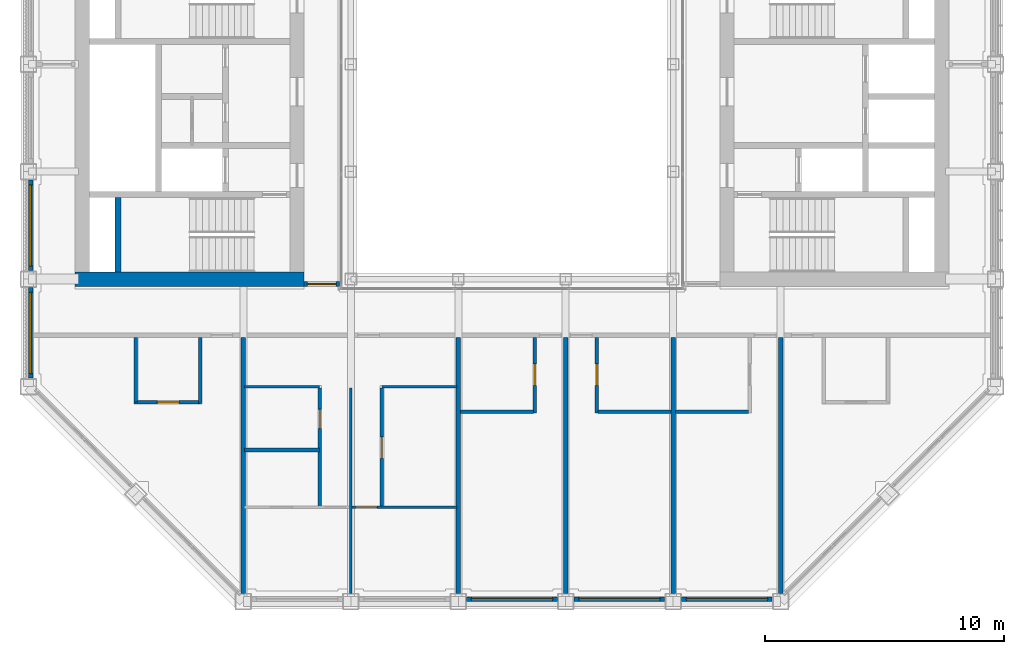
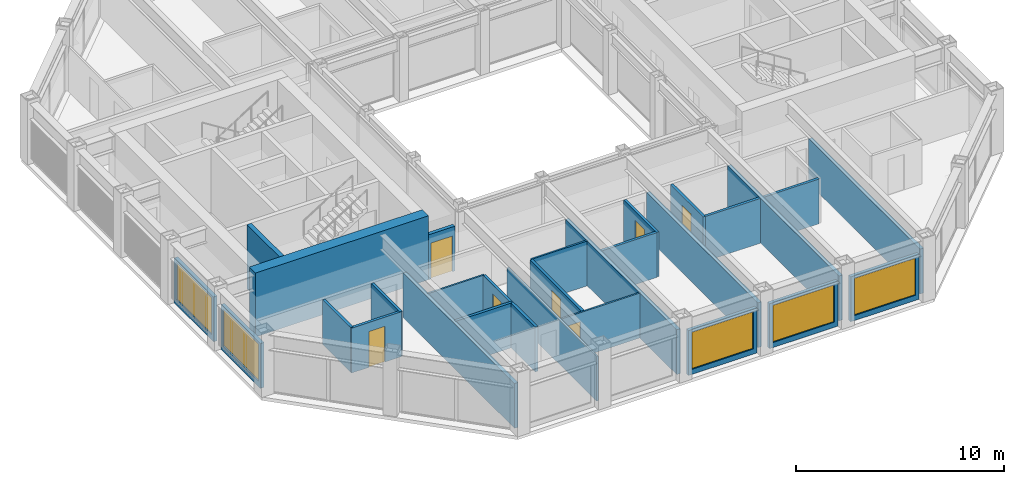
# One storey, part 9 of 18: 28 walls, 7 doors, 5 windows, 12 openings.
"""IFC4 building model written with IfcOpenShell, lengths in metres."""

import ifcopenshell
import ifcopenshell.guid

model = None  # the IFC model being written
_history = None  # IfcOwnerHistory: only IFC2X3 demands one
_inside = {}  # id of a spatial element -> (the spatial element, [elements in it])
_under = {}  # id of a project, library or spatial element -> (it, [spatial elements below it])
_declared = {}  # id of a project -> (the project, [libraries it declares])
_typed = {}  # id of a type object -> (the type object, [elements of that type])
_made_of = {}  # id of a material, layer set ... -> (it, [elements and type objects made of it])


def new_model(schema):
    """Start an empty IFC model of exactly this schema.

    Asked for "IFC4X3", IfcOpenShell would pick the latest addendum, in which some entities
    have other attributes; the version numbers below select the first issue.
    IFC2X3 requires an IfcOwnerHistory on every rooted entity: one is made here for all.
    """
    global model, _history
    if schema == "IFC4X3":
        model = ifcopenshell.file(schema_version=(4, 3, 0, 0))
    else:
        model = ifcopenshell.file(schema=schema)
    _inside.clear()
    _under.clear()
    _declared.clear()
    _typed.clear()
    _made_of.clear()
    _history = None
    if model.schema == "IFC2X3":
        org = make("IfcOrganization", Name="unknown")
        user = make(
            "IfcPersonAndOrganization",
            ThePerson=make("IfcPerson", FamilyName="unknown"),
            TheOrganization=org,
        )
        app = make(
            "IfcApplication",
            ApplicationDeveloper=org,
            Version="unknown",
            ApplicationFullName="unknown",
            ApplicationIdentifier="unknown",
        )
        _history = make(
            "IfcOwnerHistory",
            OwningUser=user,
            OwningApplication=app,
            ChangeAction="ADDED",
            CreationDate=0,
        )
    return model


def make(cls, **values):
    """One entity of the class cls with the attributes given. An attribute that is None is left unset."""
    return model.create_entity(
        cls, **{name: value for name, value in values.items() if value is not None}
    )


def rooted(cls, **values):
    """An entity with a GlobalId (a new one), such as an element, a storey or a relation."""
    return make(cls, GlobalId=ifcopenshell.guid.new(), OwnerHistory=_history, **values)


def si_unit(unit_type, name, prefix=None):
    """IfcSIUnit, for example si_unit("LENGTHUNIT", "METRE", prefix="MILLI")."""
    return make("IfcSIUnit", UnitType=unit_type, Prefix=prefix, Name=name)


def assignment(units):
    """IfcUnitAssignment: the units of a project."""
    return None if units is None else make("IfcUnitAssignment", Units=units)


def point(xyz):
    """IfcCartesianPoint."""
    return None if xyz is None else make("IfcCartesianPoint", Coordinates=xyz)


def direction(xyz):
    """IfcDirection."""
    return None if xyz is None else make("IfcDirection", DirectionRatios=xyz)


def frame(location, z_axis=None, x_axis=None):
    """IfcAxis2Placement3D, a coordinate frame: its origin and axes. An axis left out is left unset."""
    return make(
        "IfcAxis2Placement3D",
        Location=point(location),
        Axis=direction(z_axis),
        RefDirection=direction(x_axis),
    )


def frame_2d(location, x_axis=None):
    """IfcAxis2Placement2D, a coordinate frame in the plane: its origin and x axis."""
    return make(
        "IfcAxis2Placement2D", Location=point(location), RefDirection=direction(x_axis)
    )


def origin():
    """The frame at (0, 0, 0) with its axes left unset."""
    return frame((0.0, 0.0, 0.0))


def place(relative_to, where):
    """IfcLocalPlacement: puts the frame where relative to a parent placement (None: the world)."""
    return make(
        "IfcLocalPlacement", PlacementRelTo=relative_to, RelativePlacement=where
    )


def context(
    kind, dimensions, precision=None, world=None, true_north=None, identifier=None
):
    """IfcGeometricRepresentationContext, for example the 3D "Model" context."""
    return make(
        "IfcGeometricRepresentationContext",
        ContextIdentifier=identifier,
        ContextType=kind,
        CoordinateSpaceDimension=dimensions,
        Precision=precision,
        WorldCoordinateSystem=world,
        TrueNorth=true_north,
    )


def subcontext(parent, identifier, kind, view, scale=None):
    """IfcGeometricRepresentationSubContext, for example "Body" below "Model"."""
    return make(
        "IfcGeometricRepresentationSubContext",
        ContextIdentifier=identifier,
        ContextType=kind,
        ParentContext=parent,
        TargetScale=scale,
        TargetView=view,
    )


def project(units=None, contexts=None):
    """IfcProject with its units and contexts."""
    return rooted(
        "IfcProject",
        Name="project",
        RepresentationContexts=contexts,
        UnitsInContext=assignment(units),
    )


def spatial(cls, under=None, at=None, **own):
    """A site, building, storey or space (cls), placed at a placement, below another one or the project."""
    s = rooted(cls, ObjectPlacement=at, **own)
    if under is not None:
        _under.setdefault(under.id(), (under, []))[1].append(s)
    return s


def profile(cls, at=None, kind="AREA", **sizes):
    """A parametric profile (cls). Its sizes go by their IFC names, for example OverallWidth=200.0."""
    return make(cls, ProfileType=kind, Position=at, **sizes)


def rectangle(**sizes):
    """IfcRectangleProfileDef."""
    return profile("IfcRectangleProfileDef", **sizes)


def extrude(swept, where, along, depth):
    """IfcExtrudedAreaSolid: the profile swept, set in the frame where, extruded along a direction by depth."""
    return make(
        "IfcExtrudedAreaSolid",
        SweptArea=swept,
        Position=where,
        ExtrudedDirection=direction(along),
        Depth=depth,
    )


def shape(context_of_items, identifier, shape_type, items):
    """IfcShapeRepresentation: the items that make up one representation, for example the "Body"."""
    return make(
        "IfcShapeRepresentation",
        ContextOfItems=context_of_items,
        RepresentationIdentifier=identifier,
        RepresentationType=shape_type,
        Items=items,
    )


def material(Name=None, Category=None):
    """IfcMaterial."""
    return make("IfcMaterial", Name=Name, Category=Category)


def layer(
    of_material, thickness, ventilated=None, Name=None, Category=None, Priority=None
):
    """IfcMaterialLayer: one layer of a wall or slab, of a material (None: an air gap)."""
    return make(
        "IfcMaterialLayer",
        Material=of_material,
        LayerThickness=thickness,
        IsVentilated=ventilated,
        Name=Name,
        Category=Category,
        Priority=Priority,
    )


def layer_set(layers, Name=None):
    """IfcMaterialLayerSet."""
    return make("IfcMaterialLayerSet", MaterialLayers=layers, LayerSetName=Name)


def made_of(thing, what):
    """Note that an element or type object is made of a material, layer set ...; save() writes the relation."""
    if what is not None:
        _made_of.setdefault(what.id(), (what, []))[1].append(thing)
    return thing


def type_object(cls, material=None, **own):
    """A type object (cls), such as IfcWallType, which elements share."""
    return made_of(rooted(cls, **own), material)


def element(
    cls,
    number,
    at=None,
    inside=None,
    cuts=None,
    type_object=None,
    material=None,
    context=None,
    identifier="Body",
    shape_type=None,
    held_by="IfcProductDefinitionShape",
    body=None,
    shapes=None,
    **own,
):
    """One element of the class cls, such as IfcWall. Its Tag is "e" and its number.

    at: its placement. inside: the storey or other place that contains it. cuts: it is an
    opening in that element (IfcRelVoidsElement). A single representation is given by context,
    identifier, shape_type and body (its items); several are given by shapes. held_by: the class
    of the entity that holds the representations. save() writes the other relations.
    """
    e = rooted(cls, Tag="e%d" % number, ObjectPlacement=at, **own)
    if body is not None:
        shapes = [shape(context, identifier, shape_type, body)]
    if shapes is not None:
        e.Representation = make(held_by, Representations=shapes)
    if inside is not None:
        _inside.setdefault(inside.id(), (inside, []))[1].append(e)
    if cuts is not None:
        rooted(
            "IfcRelVoidsElement", RelatingBuildingElement=cuts, RelatedOpeningElement=e
        )
    if type_object is not None:
        _typed.setdefault(type_object.id(), (type_object, []))[1].append(e)
    return made_of(e, material)


def fill(opening, filler):
    """IfcRelFillsElement: the door or window that sits in an opening."""
    return rooted(
        "IfcRelFillsElement",
        RelatingOpeningElement=opening,
        RelatedBuildingElement=filler,
    )


def aggregate(whole, parts):
    """IfcRelAggregates: a whole, such as a stair, and the parts it consists of."""
    return rooted("IfcRelAggregates", RelatingObject=whole, RelatedObjects=parts)


def save(model, path):
    """Write the relations noted so far, then the file.

    IfcRelAggregates (storeys below a building ...), IfcRelContainedInSpatialStructure (elements
    in a storey), IfcRelDefinesByType, IfcRelAssociatesMaterial and IfcRelDeclares: one each for
    every whole, place, type object, material and project.
    """
    for whole, parts in _under.values():
        aggregate(whole, parts)
    for where, things in _inside.values():
        rooted(
            "IfcRelContainedInSpatialStructure",
            RelatedElements=things,
            RelatingStructure=where,
        )
    for kind, things in _typed.values():
        rooted("IfcRelDefinesByType", RelatedObjects=things, RelatingType=kind)
    for what, things in _made_of.values():
        rooted("IfcRelAssociatesMaterial", RelatedObjects=things, RelatingMaterial=what)
    for by, libraries in _declared.values():
        rooted("IfcRelDeclares", RelatingContext=by, RelatedDefinitions=libraries)
    model.write(path)


model = new_model("IFC4")

# Units and contexts
model_context = context("Model", 3, precision=1e-05, world=origin(), true_north=direction((0.0, 1.0)))
body_context = subcontext(model_context, "Body", "Model", "MODEL_VIEW")
ifc_project = project(units=[si_unit("LENGTHUNIT", "METRE"), si_unit("AREAUNIT", "SQUARE_METRE"), si_unit("VOLUMEUNIT", "CUBIC_METRE"), si_unit("PLANEANGLEUNIT", "RADIAN"), si_unit("MASSUNIT", "GRAM", prefix="KILO")], contexts=[model_context])

# Site, building, storey
site_placement = place(None, origin())
site = spatial("IfcSite", under=ifc_project, at=site_placement, CompositionType="ELEMENT")
building_placement = place(site_placement, origin())
building = spatial("IfcBuilding", under=site, at=building_placement, Name="Msasa Ring Tower", CompositionType="ELEMENT")
storey_placement = place(building_placement, frame((0.0, 0.0, 230.800048828125)))
storey = spatial("IfcBuildingStorey", under=building, at=storey_placement, Name="L60", CompositionType="ELEMENT", Elevation=230.800048828125)

# Walls
ifc_material_1 = material(Name="Concrete C60/75", Category="concrete")
ifc_layer_1 = layer(ifc_material_1, 0.60009765625)
ifc_layer_set_1 = layer_set([ifc_layer_1], Name="CW3 CORE WALL 600")
wall_type_1 = type_object("IfcWallType", Name="CW3 CORE WALL 600", PredefinedType="SHEAR", material=ifc_layer_set_1)
wall_1_placement = place(storey_placement, frame((-8.699951171875, -6.75, 0.0), z_axis=(0.0, 0.0, 1.0), x_axis=(-1.0, 0.0, 0.0)))
element("IfcWall", 1, at=wall_1_placement, inside=storey, type_object=wall_type_1, Name="W core wall S L60", PredefinedType="SHEAR", context=body_context, shape_type="SweptSolid", body=[
    extrude(rectangle(XDim=9.60009765625, YDim=0.60009765625, at=frame_2d((4.800048828125, 0.0))), origin(), (0.0, 0.0, 1.0), 3.75),
])
ifc_material_2 = material(Name="Concrete C60/75", Category="concrete")
ifc_layer_2 = layer(ifc_material_2, 0.25)
ifc_layer_set_2 = layer_set([ifc_layer_2], Name="CW4 CORE INNER WALL 250")
wall_type_2 = type_object("IfcWallType", Name="CW4 CORE INNER WALL 250", PredefinedType="SHEAR", material=ifc_layer_set_2)
wall_2_placement = place(storey_placement, frame((-16.5, -6.449951171875, 0.0), z_axis=(0.0, 0.0, 1.0), x_axis=(0.0, 1.0, 0.0)))
element("IfcWall", 2, at=wall_2_placement, inside=storey, type_object=wall_type_2, Name="W core wall RISERA L60", PredefinedType="SHEAR", context=body_context, shape_type="SweptSolid", body=[
    extrude(rectangle(XDim=3.125, YDim=0.25, at=frame_2d((1.5625, 0.0))), origin(), (0.0, 0.0, 1.0), 3.75),
])

# Wall, opening, window
ifc_material_3 = material(Name="Terracotta rainscreen on blockwork", Category="masonry")
ifc_layer_3 = layer(ifc_material_3, 0.199951171875)
ifc_layer_set_3 = layer_set([ifc_layer_3], Name="FW1 TERRACOTTA-LINED INFILL BAY WALL 200")
wall_type_3 = type_object("IfcWallType", Name="FW1 TERRACOTTA-LINED INFILL BAY WALL 200", PredefinedType="SOLIDWALL", material=ifc_layer_set_3)
wall_3_placement = place(storey_placement, frame((-1.89501953125, -20.14990234375, 0.0), z_axis=(0.0, 0.0, 1.0), x_axis=(1.0, 0.0, 0.0)))
wall_3 = element("IfcWall", 3, at=wall_3_placement, inside=storey, type_object=wall_type_3, Name="Infill bay wall S L60 02", PredefinedType="SOLIDWALL", context=body_context, shape_type="SweptSolid", body=[
    extrude(rectangle(XDim=3.7900390625, YDim=0.199951171875, at=frame_2d((1.89501953125, 0.0))), origin(), (0.0, 0.0, 1.0), 2.62890625),
])
opening_1_placement = place(wall_3_placement, frame((0.195068359375, 0.0, 0.300048828125)))
opening_1 = element("IfcOpeningElement", 4, at=opening_1_placement, cuts=wall_3, Name="Opening WN3", PredefinedType="OPENING", context=body_context, shape_type="SweptSolid", body=[
    extrude(rectangle(XDim=3.39990234375, YDim=2.178955078125, at=frame_2d((1.699951171875, 1.08935546875))), frame((0.0, 0.10986328125, 0.0), z_axis=(0.0, -1.0, 0.0), x_axis=(1.0, 0.0, 0.0)), (0.0, 0.0, 1.0), 0.219970703125),
])
ifc_material_4 = material(Name="Aluminium frame with clear glass", Category="aluminium")
window_type = type_object("IfcWindowType", Name="WN3 SUITE WINDOW 3400x2179", PartitioningType="SINGLE_PANEL", PredefinedType="WINDOW", material=ifc_material_4)
window_1_placement = place(opening_1_placement, origin())
window_1 = element("IfcWindow", 5, at=window_1_placement, inside=storey, type_object=window_type, Name="Window S L60 02", OverallHeight=2.178955078125, OverallWidth=3.39990234375, PartitioningType="SINGLE_PANEL", PredefinedType="WINDOW", context=body_context, shape_type="SweptSolid", body=[
    extrude(rectangle(XDim=3.39990234375, YDim=2.178955078125, at=frame_2d((1.699951171875, 1.08935546875))), frame((0.0, 0.030029296875, 0.0), z_axis=(0.0, -1.0, 0.0), x_axis=(1.0, 0.0, 0.0)), (0.0, 0.0, 1.0), 0.06005859375),
])
fill(opening_1, window_1)

wall_4_placement = place(storey_placement, frame((2.60498046875, -20.14990234375, 0.0), z_axis=(0.0, 0.0, 1.0), x_axis=(1.0, 0.0, 0.0)))
wall_4 = element("IfcWall", 6, at=wall_4_placement, inside=storey, type_object=wall_type_3, Name="Infill bay wall S L60 03", PredefinedType="SOLIDWALL", context=body_context, shape_type="SweptSolid", body=[
    extrude(rectangle(XDim=3.7900390625, YDim=0.199951171875, at=frame_2d((1.89501953125, 0.0))), origin(), (0.0, 0.0, 1.0), 2.62890625),
])
opening_2_placement = place(wall_4_placement, frame((0.195068359375, 0.0, 0.300048828125)))
opening_2 = element("IfcOpeningElement", 7, at=opening_2_placement, cuts=wall_4, Name="Opening WN3", PredefinedType="OPENING", context=body_context, shape_type="SweptSolid", body=[
    extrude(rectangle(XDim=3.39990234375, YDim=2.178955078125, at=frame_2d((1.699951171875, 1.08935546875))), frame((0.0, 0.10986328125, 0.0), z_axis=(0.0, -1.0, 0.0), x_axis=(1.0, 0.0, 0.0)), (0.0, 0.0, 1.0), 0.219970703125),
])
window_2_placement = place(opening_2_placement, origin())
window_2 = element("IfcWindow", 8, at=window_2_placement, inside=storey, type_object=window_type, Name="Window S L60 03", OverallHeight=2.178955078125, OverallWidth=3.39990234375, PartitioningType="SINGLE_PANEL", PredefinedType="WINDOW", context=body_context, shape_type="SweptSolid", body=[
    extrude(rectangle(XDim=3.39990234375, YDim=2.178955078125, at=frame_2d((1.699951171875, 1.08935546875))), frame((0.0, 0.030029296875, 0.0), z_axis=(0.0, -1.0, 0.0), x_axis=(1.0, 0.0, 0.0)), (0.0, 0.0, 1.0), 0.06005859375),
])
fill(opening_2, window_2)

wall_5_placement = place(storey_placement, frame((7.10498046875, -20.14990234375, 0.0), z_axis=(0.0, 0.0, 1.0), x_axis=(1.0, 0.0, 0.0)))
wall_5 = element("IfcWall", 9, at=wall_5_placement, inside=storey, type_object=wall_type_3, Name="Infill bay wall S L60 04", PredefinedType="SOLIDWALL", context=body_context, shape_type="SweptSolid", body=[
    extrude(rectangle(XDim=3.7900390625, YDim=0.199951171875, at=frame_2d((1.89501953125, 0.0))), origin(), (0.0, 0.0, 1.0), 2.62890625),
])
opening_3_placement = place(wall_5_placement, frame((0.195068359375, 0.0, 0.300048828125)))
opening_3 = element("IfcOpeningElement", 10, at=opening_3_placement, cuts=wall_5, Name="Opening WN3", PredefinedType="OPENING", context=body_context, shape_type="SweptSolid", body=[
    extrude(rectangle(XDim=3.39990234375, YDim=2.178955078125, at=frame_2d((1.699951171875, 1.08935546875))), frame((0.0, 0.10986328125, 0.0), z_axis=(0.0, -1.0, 0.0), x_axis=(1.0, 0.0, 0.0)), (0.0, 0.0, 1.0), 0.219970703125),
])
window_3_placement = place(opening_3_placement, origin())
window_3 = element("IfcWindow", 11, at=window_3_placement, inside=storey, type_object=window_type, Name="Window S L60 04", OverallHeight=2.178955078125, OverallWidth=3.39990234375, PartitioningType="SINGLE_PANEL", PredefinedType="WINDOW", context=body_context, shape_type="SweptSolid", body=[
    extrude(rectangle(XDim=3.39990234375, YDim=2.178955078125, at=frame_2d((1.699951171875, 1.08935546875))), frame((0.0, 0.030029296875, 0.0), z_axis=(0.0, -1.0, 0.0), x_axis=(1.0, 0.0, 0.0)), (0.0, 0.0, 1.0), 0.06005859375),
])
fill(opening_3, window_3)

wall_6_placement = place(storey_placement, frame((-20.14990234375, -10.89501953125, 0.0), z_axis=(0.0, 0.0, 1.0), x_axis=(0.0, 1.0, 0.0)))
wall_6 = element("IfcWall", 12, at=wall_6_placement, inside=storey, type_object=wall_type_3, Name="Infill bay wall W L60 21", PredefinedType="SOLIDWALL", context=body_context, shape_type="SweptSolid", body=[
    extrude(rectangle(XDim=3.7900390625, YDim=0.199951171875, at=frame_2d((1.89501953125, 0.0))), origin(), (0.0, 0.0, 1.0), 2.62890625),
])
opening_4_placement = place(wall_6_placement, frame((0.195068359375, 0.0, 0.300048828125)))
opening_4 = element("IfcOpeningElement", 13, at=opening_4_placement, cuts=wall_6, Name="Opening WN3", PredefinedType="OPENING", context=body_context, shape_type="SweptSolid", body=[
    extrude(rectangle(XDim=3.39990234375, YDim=2.178955078125, at=frame_2d((1.699951171875, 1.08935546875))), frame((0.0, 0.10986328125, 0.0), z_axis=(0.0, -1.0, 0.0), x_axis=(1.0, 0.0, 0.0)), (0.0, 0.0, 1.0), 0.219970703125),
])
window_4_placement = place(opening_4_placement, origin())
window_4 = element("IfcWindow", 14, at=window_4_placement, inside=storey, type_object=window_type, Name="Window W L60 21", OverallHeight=2.178955078125, OverallWidth=3.39990234375, PartitioningType="SINGLE_PANEL", PredefinedType="WINDOW", context=body_context, shape_type="SweptSolid", body=[
    extrude(rectangle(XDim=3.39990234375, YDim=2.178955078125, at=frame_2d((1.699951171875, 1.08935546875))), frame((0.0, 0.030029296875, 0.0), z_axis=(0.0, -1.0, 0.0), x_axis=(1.0, 0.0, 0.0)), (0.0, 0.0, 1.0), 0.06005859375),
])
fill(opening_4, window_4)

wall_7_placement = place(storey_placement, frame((-20.14990234375, -6.39501953125, 0.0), z_axis=(0.0, 0.0, 1.0), x_axis=(0.0, 1.0, 0.0)))
wall_7 = element("IfcWall", 15, at=wall_7_placement, inside=storey, type_object=wall_type_3, Name="Infill bay wall W L60 22", PredefinedType="SOLIDWALL", context=body_context, shape_type="SweptSolid", body=[
    extrude(rectangle(XDim=3.7900390625, YDim=0.199951171875, at=frame_2d((1.89501953125, 0.0))), origin(), (0.0, 0.0, 1.0), 2.62890625),
])
opening_5_placement = place(wall_7_placement, frame((0.195068359375, 0.0, 0.300048828125)))
opening_5 = element("IfcOpeningElement", 16, at=opening_5_placement, cuts=wall_7, Name="Opening WN3", PredefinedType="OPENING", context=body_context, shape_type="SweptSolid", body=[
    extrude(rectangle(XDim=3.39990234375, YDim=2.178955078125, at=frame_2d((1.699951171875, 1.08935546875))), frame((0.0, 0.10986328125, 0.0), z_axis=(0.0, -1.0, 0.0), x_axis=(1.0, 0.0, 0.0)), (0.0, 0.0, 1.0), 0.219970703125),
])
window_5_placement = place(opening_5_placement, origin())
window_5 = element("IfcWindow", 17, at=window_5_placement, inside=storey, type_object=window_type, Name="Window W L60 22", OverallHeight=2.178955078125, OverallWidth=3.39990234375, PartitioningType="SINGLE_PANEL", PredefinedType="WINDOW", context=body_context, shape_type="SweptSolid", body=[
    extrude(rectangle(XDim=3.39990234375, YDim=2.178955078125, at=frame_2d((1.699951171875, 1.08935546875))), frame((0.0, 0.030029296875, 0.0), z_axis=(0.0, -1.0, 0.0), x_axis=(1.0, 0.0, 0.0)), (0.0, 0.0, 1.0), 0.06005859375),
])
fill(opening_5, window_5)

# Wall, opening, door
ifc_material_5 = material(Name="Concrete blockwork", Category="masonry")
ifc_layer_4 = layer(ifc_material_5, 0.199951171875)
ifc_layer_set_4 = layer_set([ifc_layer_4], Name="PT1 CORRIDOR WALL 200")
wall_type_4 = type_object("IfcWallType", Name="PT1 CORRIDOR WALL 200", PredefinedType="PARTITIONING", material=ifc_layer_set_4)
wall_8_placement = place(storey_placement, frame((-8.699951171875, -6.949951171875, 0.0), z_axis=(0.0, 0.0, 1.0), x_axis=(1.0, 0.0, 0.0)))
wall_8 = element("IfcWall", 18, at=wall_8_placement, inside=storey, type_object=wall_type_4, Name="Corridor wall L60-SDWS", PredefinedType="PARTITIONING", context=body_context, shape_type="SweptSolid", body=[
    extrude(rectangle(XDim=1.469970703125, YDim=0.199951171875, at=frame_2d((0.73486328125, 0.0))), origin(), (0.0, 0.0, 1.0), 2.62890625),
])
opening_6_placement = place(wall_8_placement, frame((0.135009765625, 0.0, 0.0)))
opening_6 = element("IfcOpeningElement", 19, at=opening_6_placement, cuts=wall_8, Name="Opening SC-034", PredefinedType="OPENING", context=body_context, shape_type="SweptSolid", body=[
    extrude(rectangle(XDim=1.199951171875, YDim=2.10009765625, at=frame_2d((0.60009765625, 1.050048828125))), frame((0.0, 0.10986328125, 0.0), z_axis=(0.0, -1.0, 0.0), x_axis=(1.0, 0.0, 0.0)), (0.0, 0.0, 1.0), 0.219970703125),
])
ifc_material_6 = material(Name="Timber door leaf in a steel frame", Category="steel")
door_type_1 = type_object("IfcDoorType", Name="D25 CORRIDOR PAIR OF SMOKE DOORS 1200x2100", OperationType="DOUBLE_DOOR_DOUBLE_SWING", PredefinedType="DOOR", material=ifc_material_6)
door_1_placement = place(opening_6_placement, origin())
door_1 = element("IfcDoor", 20, at=door_1_placement, inside=storey, type_object=door_type_1, Name="Door L60-SDWS", OperationType="DOUBLE_DOOR_DOUBLE_SWING", OverallHeight=2.10009765625, OverallWidth=1.199951171875, PredefinedType="DOOR", context=body_context, shape_type="SweptSolid", body=[
    extrude(rectangle(XDim=1.199951171875, YDim=2.10009765625, at=frame_2d((0.60009765625, 1.050048828125))), frame((0.0, 0.02490234375, 0.0), z_axis=(0.0, -1.0, 0.0), x_axis=(1.0, 0.0, 0.0)), (0.0, 0.0, 1.0), 0.050048828125),
])
fill(opening_6, door_1)

# Wall
ifc_material_7 = material(Name="Gypsum board on steel studs", Category="steel")
ifc_layer_5 = layer(ifc_material_7, 0.10009765625)
ifc_layer_set_5 = layer_set([ifc_layer_5], Name="PT2 STUD PARTITION 100")
wall_type_5 = type_object("IfcWallType", Name="PT2 STUD PARTITION 100", PredefinedType="PARTITIONING", material=ifc_layer_set_5)
wall_9_placement = place(storey_placement, frame((-5.449951171875, -11.25, 0.0), z_axis=(0.0, 0.0, 1.0), x_axis=(1.0, 0.0, 0.0)))
element("IfcWall", 21, at=wall_9_placement, inside=storey, type_object=wall_type_5, Name="Partition L60-JS00HY0", PredefinedType="PARTITIONING", context=body_context, shape_type="SweptSolid", body=[
    extrude(rectangle(XDim=3.139892578125, YDim=0.10009765625, at=frame_2d((1.56982421875, 0.0))), origin(), (0.0, 0.0, 1.0), 2.62890625),
])

# Wall, opening, door
wall_10_placement = place(storey_placement, frame((-6.699951171875, -16.300048828125, 0.0), z_axis=(0.0, 0.0, 1.0), x_axis=(1.0, 0.0, 0.0)))
wall_10 = element("IfcWall", 22, at=wall_10_placement, inside=storey, type_object=wall_type_5, Name="Partition L60-JS00SY0", PredefinedType="PARTITIONING", context=body_context, shape_type="SweptSolid", body=[
    extrude(rectangle(XDim=4.389892578125, YDim=0.10009765625, at=frame_2d((2.19482421875, 0.0))), origin(), (0.0, 0.0, 1.0), 2.62890625),
])
opening_7_placement = place(wall_10_placement, frame((0.14990234375, 0.0, 0.0)))
opening_7 = element("IfcOpeningElement", 23, at=opening_7_placement, cuts=wall_10, Name="Opening SC-051", PredefinedType="OPENING", context=body_context, shape_type="SweptSolid", body=[
    extrude(rectangle(XDim=0.89990234375, YDim=2.10009765625, at=frame_2d((0.449951171875, 1.050048828125))), frame((0.0, 0.06005859375, 0.0), z_axis=(0.0, -1.0, 0.0), x_axis=(1.0, 0.0, 0.0)), (0.0, 0.0, 1.0), 0.1201171875),
])
ifc_material_8 = material(Name="Timber door leaf in a steel frame", Category="steel")
door_type_2 = type_object("IfcDoorType", Name="D22 INTERNAL HALL DOOR 900x2100", OperationType="SINGLE_SWING_LEFT", PredefinedType="DOOR", material=ifc_material_8)
door_2_placement = place(opening_7_placement, origin())
door_2 = element("IfcDoor", 24, at=door_2_placement, inside=storey, type_object=door_type_2, Name="Door L60-JS00L", OperationType="SINGLE_SWING_LEFT", OverallHeight=2.10009765625, OverallWidth=0.89990234375, PredefinedType="DOOR", context=body_context, shape_type="SweptSolid", body=[
    extrude(rectangle(XDim=0.89990234375, YDim=2.10009765625, at=frame_2d((0.449951171875, 1.050048828125))), frame((0.0, 0.02490234375, 0.0), z_axis=(0.0, -1.0, 0.0), x_axis=(1.0, 0.0, 0.0)), (0.0, 0.0, 1.0), 0.050048828125),
])
fill(opening_7, door_2)

# Walls
wall_11_placement = place(storey_placement, frame((-6.75, -19.89990234375, 0.0), z_axis=(0.0, 0.0, 1.0), x_axis=(0.0, 1.0, 0.0)))
element("IfcWall", 25, at=wall_11_placement, inside=storey, type_object=wall_type_5, Name="Partition L60-JS00P1", PredefinedType="PARTITIONING", context=body_context, shape_type="SweptSolid", body=[
    extrude(rectangle(XDim=8.599853515625, YDim=0.10009765625, at=frame_2d((4.2998046875, 0.0))), origin(), (0.0, 0.0, 1.0), 2.62890625),
])
wall_12_placement = place(storey_placement, frame((-11.18994140625, -11.25, 0.0), z_axis=(0.0, 0.0, 1.0), x_axis=(1.0, 0.0, 0.0)))
element("IfcWall", 26, at=wall_12_placement, inside=storey, type_object=wall_type_5, Name="Partition L60-JS00HY1", PredefinedType="PARTITIONING", context=body_context, shape_type="SweptSolid", body=[
    extrude(rectangle(XDim=3.139892578125, YDim=0.10009765625, at=frame_2d((1.56982421875, 0.0))), origin(), (0.0, 0.0, 1.0), 2.62890625),
])
ifc_material_9 = material(Name="Dense concrete blockwork, plastered both faces", Category="masonry")
ifc_layer_6 = layer(ifc_material_9, 0.25)
ifc_layer_set_6 = layer_set([ifc_layer_6], Name="PT3 APARTMENT SEPARATING WALL 250")
wall_type_6 = type_object("IfcWallType", Name="PT3 APARTMENT SEPARATING WALL 250", PredefinedType="PARTITIONING", material=ifc_layer_set_6)
for number, where, z_axis, x_axis, name in (
    (27, (-11.25, -19.89990234375, 0.0), (0.0, 0.0, 1.0), (0.0, 1.0, 0.0), "Party wall L60-PWS-11.25"),
    (28, (-2.25, -19.89990234375, 0.0), (0.0, 0.0, 1.0), (0.0, 1.0, 0.0), "Party wall L60-PWS-2.25"),
    (29, (2.25, -19.89990234375, 0.0), (0.0, 0.0, 1.0), (0.0, 1.0, 0.0), "Party wall L60-PWS+2.25"),
    (30, (6.75, -19.89990234375, 0.0), (0.0, 0.0, 1.0), (0.0, 1.0, 0.0), "Party wall L60-PWS+6.75"),
    (31, (11.25, -19.89990234375, 0.0), (0.0, 0.0, 1.0), (0.0, 1.0, 0.0), "Party wall L60-PWS+11.25"),
):
    element("IfcWall", number, at=place(storey_placement, frame(where, z_axis=z_axis, x_axis=x_axis)), inside=storey, type_object=wall_type_6, Name=name, PredefinedType="PARTITIONING", context=body_context, shape_type="SweptSolid", body=[
        extrude(rectangle(XDim=10.699951171875, YDim=0.199951171875, at=frame_2d((5.35009765625, 0.0))), origin(), (0.0, 0.0, 1.0), 2.62890625),
    ])

# Wall, opening, door
ifc_material_10 = material(Name="Moisture-resistant board on steel studs with a concealed cistern and pipe void, tiled", Category="steel")
ifc_layer_7 = layer(ifc_material_10, 0.14990234375)
ifc_layer_set_7 = layer_set([ifc_layer_7], Name="PT4 BATHROOM WET WALL 150")
wall_type_7 = type_object("IfcWallType", Name="PT4 BATHROOM WET WALL 150", PredefinedType="PARTITIONING", material=ifc_layer_set_7)
wall_13_placement = place(storey_placement, frame((-5.449951171875, -16.300048828125, 0.0), z_axis=(0.0, 0.0, 1.0), x_axis=(0.0, 1.0, 0.0)))
wall_13 = element("IfcWall", 32, at=wall_13_placement, inside=storey, type_object=wall_type_7, Name="Partition L60-JS00SX0", PredefinedType="PARTITIONING", context=body_context, shape_type="SweptSolid", body=[
    extrude(rectangle(XDim=5.0, YDim=0.14990234375, at=frame_2d((2.5, 0.0))), origin(), (0.0, 0.0, 1.0), 2.62890625),
])
opening_8_placement = place(wall_13_placement, frame((2.050048828125, 0.0, 0.0)))
opening_8 = element("IfcOpeningElement", 33, at=opening_8_placement, cuts=wall_13, Name="Opening SC-048", PredefinedType="OPENING", context=body_context, shape_type="SweptSolid", body=[
    extrude(rectangle(XDim=0.89990234375, YDim=2.10009765625, at=frame_2d((0.449951171875, 1.050048828125))), frame((0.0, 0.0849609375, 0.0), z_axis=(0.0, -1.0, 0.0), x_axis=(1.0, 0.0, 0.0)), (0.0, 0.0, 1.0), 0.169921875),
])
door_3_placement = place(opening_8_placement, origin())
door_3 = element("IfcDoor", 34, at=door_3_placement, inside=storey, type_object=door_type_2, Name="Door L60-JS00K", OperationType="SINGLE_SWING_LEFT", OverallHeight=2.10009765625, OverallWidth=0.89990234375, PredefinedType="DOOR", context=body_context, shape_type="SweptSolid", body=[
    extrude(rectangle(XDim=0.89990234375, YDim=2.10009765625, at=frame_2d((0.449951171875, 1.050048828125))), frame((0.0, 0.02490234375, 0.0), z_axis=(0.0, -1.0, 0.0), x_axis=(1.0, 0.0, 0.0)), (0.0, 0.0, 1.0), 0.050048828125),
])
fill(opening_8, door_3)

wall_14_placement = place(storey_placement, frame((-8.050048828125, -16.300048828125, 0.0), z_axis=(0.0, 0.0, 1.0), x_axis=(0.0, 1.0, 0.0)))
wall_14 = element("IfcWall", 35, at=wall_14_placement, inside=storey, type_object=wall_type_7, Name="Partition L60-JS00SX1", PredefinedType="PARTITIONING", context=body_context, shape_type="SweptSolid", body=[
    extrude(rectangle(XDim=5.0, YDim=0.14990234375, at=frame_2d((2.5, 0.0))), origin(), (0.0, 0.0, 1.0), 2.62890625),
])
opening_9_placement = place(wall_14_placement, frame((3.300048828125, 0.0, 0.0)))
opening_9 = element("IfcOpeningElement", 36, at=opening_9_placement, cuts=wall_14, Name="Opening SC-047", PredefinedType="OPENING", context=body_context, shape_type="SweptSolid", body=[
    extrude(rectangle(XDim=0.800048828125, YDim=2.10009765625, at=frame_2d((0.39990234375, 1.050048828125))), frame((0.0, 0.0849609375, 0.0), z_axis=(0.0, -1.0, 0.0), x_axis=(1.0, 0.0, 0.0)), (0.0, 0.0, 1.0), 0.169921875),
])
ifc_material_11 = material(Name="Timber door leaf in a steel frame", Category="steel")
door_type_3 = type_object("IfcDoorType", Name="D60 DRESSING ROOM DOOR 800x2100", OperationType="SINGLE_SWING_LEFT", PredefinedType="DOOR", material=ifc_material_11)
door_4_placement = place(opening_9_placement, origin())
door_4 = element("IfcDoor", 37, at=door_4_placement, inside=storey, type_object=door_type_3, Name="Door L60-JS00W1", OperationType="SINGLE_SWING_RIGHT", OverallHeight=2.10009765625, OverallWidth=0.800048828125, PredefinedType="DOOR", context=body_context, shape_type="SweptSolid", body=[
    extrude(rectangle(XDim=0.800048828125, YDim=2.10009765625, at=frame_2d((0.39990234375, 1.050048828125))), frame((0.0, 0.02490234375, 0.0), z_axis=(0.0, -1.0, 0.0), x_axis=(1.0, 0.0, 0.0)), (0.0, 0.0, 1.0), 0.050048828125),
])
fill(opening_9, door_4)

# Wall
wall_15_placement = place(storey_placement, frame((-11.18994140625, -13.89990234375, 0.0), z_axis=(0.0, 0.0, 1.0), x_axis=(1.0, 0.0, 0.0)))
element("IfcWall", 38, at=wall_15_placement, inside=storey, type_object=wall_type_7, Name="Partition L60-JS00SB1", PredefinedType="PARTITIONING", context=body_context, shape_type="SweptSolid", body=[
    extrude(rectangle(XDim=3.139892578125, YDim=0.14990234375, at=frame_2d((1.56982421875, 0.0))), origin(), (0.0, 0.0, 1.0), 2.62890625),
])

# Wall, opening, door
wall_16_placement = place(storey_placement, frame((0.949951171875, -12.35009765625, 0.0), z_axis=(0.0, 0.0, 1.0), x_axis=(0.0, 1.0, 0.0)))
wall_16 = element("IfcWall", 39, at=wall_16_placement, inside=storey, type_object=wall_type_7, Name="Partition L60-JS01BX", PredefinedType="PARTITIONING", context=body_context, shape_type="SweptSolid", body=[
    extrude(rectangle(XDim=3.150146484375, YDim=0.14990234375, at=frame_2d((1.5751953125, 0.0))), origin(), (0.0, 0.0, 1.0), 2.62890625),
])
opening_10_placement = place(wall_16_placement, frame((1.14990234375, 0.0, 0.0)))
opening_10 = element("IfcOpeningElement", 40, at=opening_10_placement, cuts=wall_16, Name="Opening SC-042", PredefinedType="OPENING", context=body_context, shape_type="SweptSolid", body=[
    extrude(rectangle(XDim=0.89990234375, YDim=2.10009765625, at=frame_2d((0.449951171875, 1.050048828125))), frame((0.0, 0.0849609375, 0.0), z_axis=(0.0, -1.0, 0.0), x_axis=(1.0, 0.0, 0.0)), (0.0, 0.0, 1.0), 0.169921875),
])
ifc_material_12 = material(Name="Timber door leaf in a steel frame", Category="steel")
door_type_4 = type_object("IfcDoorType", Name="D3 BATHROOM DOOR 900x2100", OperationType="SINGLE_SWING_LEFT", PredefinedType="DOOR", material=ifc_material_12)
door_5_placement = place(opening_10_placement, origin())
door_5 = element("IfcDoor", 41, at=door_5_placement, inside=storey, type_object=door_type_4, Name="Door L60-JS01B", OperationType="SINGLE_SWING_LEFT", OverallHeight=2.10009765625, OverallWidth=0.89990234375, PredefinedType="DOOR", context=body_context, shape_type="SweptSolid", body=[
    extrude(rectangle(XDim=0.89990234375, YDim=2.10009765625, at=frame_2d((0.449951171875, 1.050048828125))), frame((0.0, 0.02490234375, 0.0), z_axis=(0.0, -1.0, 0.0), x_axis=(1.0, 0.0, 0.0)), (0.0, 0.0, 1.0), 0.050048828125),
])
fill(opening_10, door_5)

# Wall
wall_17_placement = place(storey_placement, frame((-2.14990234375, -12.300048828125, 0.0), z_axis=(0.0, 0.0, 1.0), x_axis=(1.0, 0.0, 0.0)))
element("IfcWall", 42, at=wall_17_placement, inside=storey, type_object=wall_type_7, Name="Partition L60-JS01BY", PredefinedType="PARTITIONING", context=body_context, shape_type="SweptSolid", body=[
    extrude(rectangle(XDim=3.0498046875, YDim=0.14990234375, at=frame_2d((1.52490234375, 0.0))), origin(), (0.0, 0.0, 1.0), 2.62890625),
])

# Wall, opening, door
wall_18_placement = place(storey_placement, frame((3.550048828125, -12.35009765625, 0.0), z_axis=(0.0, 0.0, 1.0), x_axis=(0.0, 1.0, 0.0)))
wall_18 = element("IfcWall", 43, at=wall_18_placement, inside=storey, type_object=wall_type_7, Name="Partition L60-JS02BX", PredefinedType="PARTITIONING", context=body_context, shape_type="SweptSolid", body=[
    extrude(rectangle(XDim=3.150146484375, YDim=0.14990234375, at=frame_2d((1.5751953125, 0.0))), origin(), (0.0, 0.0, 1.0), 2.62890625),
])
opening_11_placement = place(wall_18_placement, frame((1.14990234375, 0.0, 0.0)))
opening_11 = element("IfcOpeningElement", 44, at=opening_11_placement, cuts=wall_18, Name="Opening SC-043", PredefinedType="OPENING", context=body_context, shape_type="SweptSolid", body=[
    extrude(rectangle(XDim=0.89990234375, YDim=2.10009765625, at=frame_2d((0.449951171875, 1.050048828125))), frame((0.0, 0.0849609375, 0.0), z_axis=(0.0, -1.0, 0.0), x_axis=(1.0, 0.0, 0.0)), (0.0, 0.0, 1.0), 0.169921875),
])
door_6_placement = place(opening_11_placement, origin())
door_6 = element("IfcDoor", 45, at=door_6_placement, inside=storey, type_object=door_type_4, Name="Door L60-JS02B", OperationType="SINGLE_SWING_LEFT", OverallHeight=2.10009765625, OverallWidth=0.89990234375, PredefinedType="DOOR", context=body_context, shape_type="SweptSolid", body=[
    extrude(rectangle(XDim=0.89990234375, YDim=2.10009765625, at=frame_2d((0.449951171875, 1.050048828125))), frame((0.0, 0.02490234375, 0.0), z_axis=(0.0, -1.0, 0.0), x_axis=(1.0, 0.0, 0.0)), (0.0, 0.0, 1.0), 0.050048828125),
])
fill(opening_11, door_6)

# Walls
for number, where, z_axis, x_axis, name in (
    (46, (3.60009765625, -12.300048828125, 0.0), (0.0, 0.0, 1.0), (1.0, 0.0, 0.0), "Partition L60-JS02BY"),
    (47, (6.85009765625, -12.300048828125, 0.0), (0.0, 0.0, 1.0), (1.0, 0.0, 0.0), "Partition L60-JS03BY"),
):
    element("IfcWall", number, at=place(storey_placement, frame(where, z_axis=z_axis, x_axis=x_axis)), inside=storey, type_object=wall_type_7, Name=name, PredefinedType="PARTITIONING", context=body_context, shape_type="SweptSolid", body=[
        extrude(rectangle(XDim=3.0498046875, YDim=0.14990234375, at=frame_2d((1.52490234375, 0.0))), origin(), (0.0, 0.0, 1.0), 2.62890625),
    ])
wall_19_placement = place(storey_placement, frame((-13.050048828125, -11.949951171875, 0.0), z_axis=(0.0, 0.0, 1.0), x_axis=(0.0, 1.0, 0.0)))
element("IfcWall", 48, at=wall_19_placement, inside=storey, type_object=wall_type_7, Name="Partition L60-CSSWBX", PredefinedType="PARTITIONING", context=body_context, shape_type="SweptSolid", body=[
    extrude(rectangle(XDim=2.75, YDim=0.14990234375, at=frame_2d((1.375, 0.0))), origin(), (0.0, 0.0, 1.0), 2.62890625),
])

# Wall, opening, door
wall_20_placement = place(storey_placement, frame((-15.824951171875, -11.89990234375, 0.0), z_axis=(0.0, 0.0, 1.0), x_axis=(1.0, 0.0, 0.0)))
wall_20 = element("IfcWall", 49, at=wall_20_placement, inside=storey, type_object=wall_type_7, Name="Partition L60-CSSWBY", PredefinedType="PARTITIONING", context=body_context, shape_type="SweptSolid", body=[
    extrude(rectangle(XDim=2.77490234375, YDim=0.14990234375, at=frame_2d((1.387451171875, 0.0))), origin(), (0.0, 0.0, 1.0), 2.62890625),
])
opening_12_placement = place(wall_20_placement, frame((0.97509765625, 0.0, 0.0)))
opening_12 = element("IfcOpeningElement", 50, at=opening_12_placement, cuts=wall_20, Name="Opening SC-045", PredefinedType="OPENING", context=body_context, shape_type="SweptSolid", body=[
    extrude(rectangle(XDim=0.89990234375, YDim=2.10009765625, at=frame_2d((0.449951171875, 1.050048828125))), frame((0.0, 0.0849609375, 0.0), z_axis=(0.0, -1.0, 0.0), x_axis=(1.0, 0.0, 0.0)), (0.0, 0.0, 1.0), 0.169921875),
])
door_7_placement = place(opening_12_placement, origin())
door_7 = element("IfcDoor", 51, at=door_7_placement, inside=storey, type_object=door_type_4, Name="Door L60-CSSWB1", OperationType="SINGLE_SWING_RIGHT", OverallHeight=2.10009765625, OverallWidth=0.89990234375, PredefinedType="DOOR", context=body_context, shape_type="SweptSolid", body=[
    extrude(rectangle(XDim=0.89990234375, YDim=2.10009765625, at=frame_2d((0.449951171875, 1.050048828125))), frame((0.0, 0.02490234375, 0.0), z_axis=(0.0, -1.0, 0.0), x_axis=(1.0, 0.0, 0.0)), (0.0, 0.0, 1.0), 0.050048828125),
])
fill(opening_12, door_7)

# Wall
wall_21_placement = place(storey_placement, frame((-15.75, -11.89990234375, 0.0), z_axis=(0.0, 0.0, 1.0), x_axis=(0.0, 1.0, 0.0)))
element("IfcWall", 52, at=wall_21_placement, inside=storey, type_object=wall_type_7, Name="Partition L60-CSSWBE", PredefinedType="PARTITIONING", context=body_context, shape_type="SweptSolid", body=[
    extrude(rectangle(XDim=2.699951171875, YDim=0.14990234375, at=frame_2d((1.35009765625, 0.0))), origin(), (0.0, 0.0, 1.0), 2.62890625),
])

save(model, "model.ifc")
